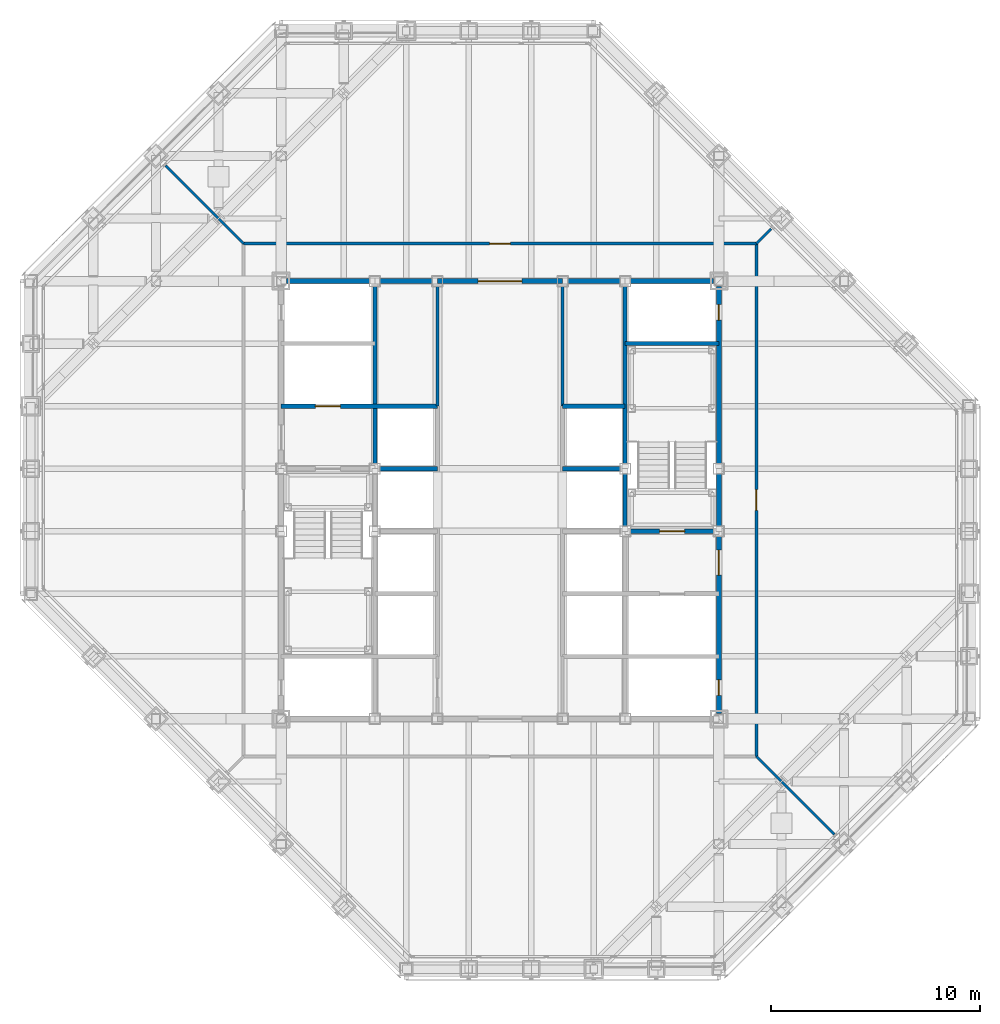
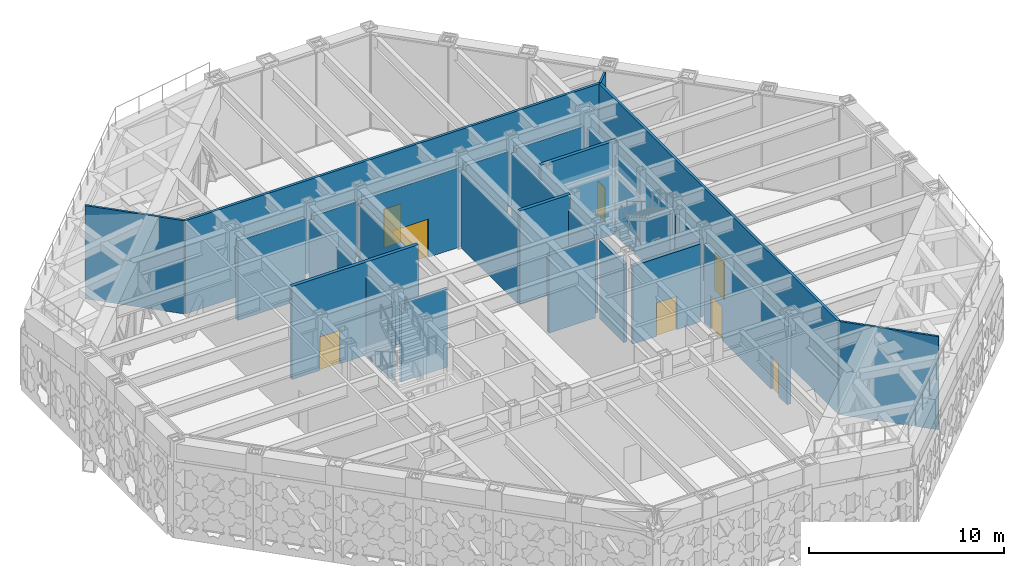
# One storey, part 12 of 29: 24 walls, 8 doors, 8 openings.
"""IFC4 building model written with IfcOpenShell, lengths in metres."""

from ifc_helpers import new_model, si_unit, direction, frame, frame_2d, origin, place, context, subcontext, project, spatial, rectangle, extrude, material, layer, layer_set, type_object, element, fill, save


model = new_model("IFC4")

# Units and contexts
model_context = context("Model", 3, precision=1e-05, world=origin(), true_north=direction((0.0, 1.0)))
body_context = subcontext(model_context, "Body", "Model", "MODEL_VIEW")
ifc_project = project(units=[si_unit("LENGTHUNIT", "METRE"), si_unit("AREAUNIT", "SQUARE_METRE"), si_unit("VOLUMEUNIT", "CUBIC_METRE"), si_unit("PLANEANGLEUNIT", "RADIAN"), si_unit("MASSUNIT", "GRAM", prefix="KILO")], contexts=[model_context])

# Site, building, storey
site_placement = place(None, origin())
site = spatial("IfcSite", under=ifc_project, at=site_placement, CompositionType="ELEMENT")
building_placement = place(site_placement, origin())
building = spatial("IfcBuilding", under=site, at=building_placement, Name="Chuquiago Exchange Tower", CompositionType="ELEMENT")
storey_placement = place(building_placement, frame((0.0, 0.0, 251.699951171875)))
storey = spatial("IfcBuildingStorey", under=building, at=storey_placement, Name="L56", CompositionType="ELEMENT", Elevation=251.699951171875)

# Walls
ifc_material_1 = material(Name="Concrete masonry, fully grouted", Category="masonry")
ifc_layer_1 = layer(ifc_material_1, 0.25)
ifc_layer_set_1 = layer_set([ifc_layer_1], Name="W1 core wall 250")
wall_type_1 = type_object("IfcWallType", Name="W1 core wall 250", PredefinedType="SOLIDWALL", material=ifc_layer_set_1)
wall_1_placement = place(storey_placement, frame((12.25, 33.0, 0.0), z_axis=(0.0, 0.0, 1.0), x_axis=(1.0, 0.0, 0.0)))
element("IfcWall", 1, at=wall_1_placement, inside=storey, type_object=wall_type_1, Name="CW-L56-11-0", PredefinedType="SOLIDWALL", context=body_context, shape_type="SweptSolid", body=[
    extrude(rectangle(XDim=4.0, YDim=0.25, at=frame_2d((2.0, 0.0))), origin(), (0.0, 0.0, 1.0), 4.9814453125),
])
for number, where, z_axis, x_axis, name in (
    (2, (16.75, 33.0, 0.0), (0.0, 0.0, 1.0), (1.0, 0.0, 0.0), "CW-L56-11-1"),
    (3, (25.75, 33.0, 0.0), (0.0, 0.0, 1.0), (1.0, 0.0, 0.0), "CW-L56-12-0"),
):
    element("IfcWall", number, at=place(storey_placement, frame(where, z_axis=z_axis, x_axis=x_axis)), inside=storey, type_object=wall_type_1, Name=name, PredefinedType="SOLIDWALL", context=body_context, shape_type="SweptSolid", body=[
        extrude(rectangle(XDim=2.5, YDim=0.25, at=frame_2d((1.25, 0.0))), origin(), (0.0, 0.0, 1.0), 4.9814453125),
    ])
wall_2_placement = place(storey_placement, frame((28.75, 33.0, 0.0), z_axis=(0.0, 0.0, 1.0), x_axis=(1.0, 0.0, 0.0)))
element("IfcWall", 4, at=wall_2_placement, inside=storey, type_object=wall_type_1, Name="CW-L56-12-1", PredefinedType="SOLIDWALL", context=body_context, shape_type="SweptSolid", body=[
    extrude(rectangle(XDim=4.0, YDim=0.25, at=frame_2d((2.0, 0.0))), origin(), (0.0, 0.0, 1.0), 4.9814453125),
])

# Wall, openings, doors
wall_3_placement = place(storey_placement, frame((33.0, 12.25, 0.0), z_axis=(0.0, 0.0, 1.0), x_axis=(0.0, 1.0, 0.0)))
wall_3 = element("IfcWall", 5, at=wall_3_placement, inside=storey, type_object=wall_type_1, Name="CW-L56-25-0", PredefinedType="SOLIDWALL", context=body_context, shape_type="SweptSolid", body=[
    extrude(rectangle(XDim=8.5, YDim=0.25, at=frame_2d((4.25, 0.0))), origin(), (0.0, 0.0, 1.0), 4.912841796875),
])
opening_1_placement = place(wall_3_placement, frame((6.64990234375, 0.0, 0.0)))
opening_1 = element("IfcOpeningElement", 6, at=opening_1_placement, cuts=wall_3, Name="Opening L56-006", PredefinedType="OPENING", context=body_context, shape_type="SweptSolid", body=[
    extrude(rectangle(XDim=1.199951171875, YDim=2.10009765625, at=frame_2d((0.60009765625, 1.050048828125))), frame((0.0, 0.135009765625, 0.0), z_axis=(0.0, -1.0, 0.0), x_axis=(1.0, 0.0, 0.0)), (0.0, 0.0, 1.0), 0.27001953125),
])
opening_2_placement = place(wall_3_placement, frame((0.875, 0.0, 0.0)))
opening_2 = element("IfcOpeningElement", 7, at=opening_2_placement, cuts=wall_3, Name="Opening L56-011", PredefinedType="OPENING", context=body_context, shape_type="SweptSolid", body=[
    extrude(rectangle(XDim=0.75, YDim=2.10009765625, at=frame_2d((0.375, 1.050048828125))), frame((0.0, 0.135009765625, 0.0), z_axis=(0.0, -1.0, 0.0), x_axis=(1.0, 0.0, 0.0)), (0.0, 0.0, 1.0), 0.27001953125),
])
ifc_material_2 = material(Name="Steel door, painted", Category="steel")
door_type_1 = type_object("IfcDoorType", Name="D5 firefighting lobby door 1200x2100", OperationType="SINGLE_SWING_LEFT", PredefinedType="DOOR", material=ifc_material_2)
door_1_placement = place(opening_1_placement, origin())
door_1 = element("IfcDoor", 8, at=door_1_placement, inside=storey, type_object=door_type_1, Name="Firefighting lobby 2 door", OperationType="SINGLE_SWING_RIGHT", OverallHeight=2.10009765625, OverallWidth=1.199951171875, PredefinedType="DOOR", context=body_context, shape_type="SweptSolid", body=[
    extrude(rectangle(XDim=1.199951171875, YDim=2.10009765625, at=frame_2d((0.60009765625, 1.050048828125))), frame((0.0, 0.02490234375, 0.0), z_axis=(0.0, -1.0, 0.0), x_axis=(1.0, 0.0, 0.0)), (0.0, 0.0, 1.0), 0.050048828125),
])
fill(opening_1, door_1)
ifc_material_3 = material(Name="Steel door, painted", Category="steel")
door_type_2 = type_object("IfcDoorType", Name="D6 riser access door 750x2100", OperationType="SINGLE_SWING_LEFT", PredefinedType="DOOR", material=ifc_material_3)
door_2_placement = place(opening_2_placement, origin())
door_2 = element("IfcDoor", 9, at=door_2_placement, inside=storey, type_object=door_type_2, Name="Riser RE1 door", OperationType="SINGLE_SWING_LEFT", OverallHeight=2.10009765625, OverallWidth=0.75, PredefinedType="DOOR", context=body_context, shape_type="SweptSolid", body=[
    extrude(rectangle(XDim=0.75, YDim=2.10009765625, at=frame_2d((0.375, 1.050048828125))), frame((0.0, 0.02490234375, 0.0), z_axis=(0.0, -1.0, 0.0), x_axis=(1.0, 0.0, 0.0)), (0.0, 0.0, 1.0), 0.050048828125),
])
fill(opening_2, door_2)

# Wall
wall_4_placement = place(storey_placement, frame((33.0, 21.25, 0.0), z_axis=(0.0, 0.0, 1.0), x_axis=(0.0, 1.0, 0.0)))
element("IfcWall", 10, at=wall_4_placement, inside=storey, type_object=wall_type_1, Name="CW-L56-25-1", PredefinedType="SOLIDWALL", context=body_context, shape_type="SweptSolid", body=[
    extrude(rectangle(XDim=2.5, YDim=0.25, at=frame_2d((1.25, 0.0))), origin(), (0.0, 0.0, 1.0), 4.912841796875),
])

# Wall, opening, door
wall_5_placement = place(storey_placement, frame((33.0, 24.25, 0.0), z_axis=(0.0, 0.0, 1.0), x_axis=(0.0, 1.0, 0.0)))
wall_5 = element("IfcWall", 11, at=wall_5_placement, inside=storey, type_object=wall_type_1, Name="CW-L56-25-2", PredefinedType="SOLIDWALL", context=body_context, shape_type="SweptSolid", body=[
    extrude(rectangle(XDim=8.5, YDim=0.25, at=frame_2d((4.25, 0.0))), origin(), (0.0, 0.0, 1.0), 4.912841796875),
])
opening_3_placement = place(wall_5_placement, frame((6.875, 0.0, 0.0)))
opening_3 = element("IfcOpeningElement", 12, at=opening_3_placement, cuts=wall_5, Name="Opening L56-012", PredefinedType="OPENING", context=body_context, shape_type="SweptSolid", body=[
    extrude(rectangle(XDim=0.75, YDim=2.10009765625, at=frame_2d((0.375, 1.050048828125))), frame((0.0, 0.135009765625, 0.0), z_axis=(0.0, -1.0, 0.0), x_axis=(1.0, 0.0, 0.0)), (0.0, 0.0, 1.0), 0.27001953125),
])
door_3_placement = place(opening_3_placement, origin())
door_3 = element("IfcDoor", 13, at=door_3_placement, inside=storey, type_object=door_type_2, Name="Riser RE2 door", OperationType="SINGLE_SWING_RIGHT", OverallHeight=2.10009765625, OverallWidth=0.75, PredefinedType="DOOR", context=body_context, shape_type="SweptSolid", body=[
    extrude(rectangle(XDim=0.75, YDim=2.10009765625, at=frame_2d((0.375, 1.050048828125))), frame((0.0, 0.02490234375, 0.0), z_axis=(0.0, -1.0, 0.0), x_axis=(1.0, 0.0, 0.0)), (0.0, 0.0, 1.0), 0.050048828125),
])
fill(opening_3, door_3)

wall_6_placement = place(storey_placement, frame((19.5, 33.0, 0.0), z_axis=(0.0, 0.0, 1.0), x_axis=(1.0, 0.0, 0.0)))
wall_6 = element("IfcWall", 14, at=wall_6_placement, inside=storey, type_object=wall_type_1, Name="CW-L56-LLN", PredefinedType="SOLIDWALL", context=body_context, shape_type="SweptSolid", body=[
    extrude(rectangle(XDim=6.0, YDim=0.25, at=frame_2d((3.0, 0.0))), origin(), (0.0, 0.0, 1.0), 4.9814453125),
])
opening_4_placement = place(wall_6_placement, frame((1.949951171875, 0.0, 0.0)))
opening_4 = element("IfcOpeningElement", 15, at=opening_4_placement, cuts=wall_6, Name="Opening L56-002", PredefinedType="OPENING", context=body_context, shape_type="SweptSolid", body=[
    extrude(rectangle(XDim=2.10009765625, YDim=2.39990234375, at=frame_2d((1.050048828125, 1.199951171875))), frame((0.0, 0.135009765625, 0.0), z_axis=(0.0, -1.0, 0.0), x_axis=(1.0, 0.0, 0.0)), (0.0, 0.0, 1.0), 0.27001953125),
])
ifc_material_4 = material(Name="Steel door, painted", Category="steel")
door_type_3 = type_object("IfcDoorType", Name="D11 plant room double door 2100x2400", OperationType="DOUBLE_DOOR_DOUBLE_SWING", PredefinedType="DOOR", material=ifc_material_4)
door_4_placement = place(opening_4_placement, origin())
door_4 = element("IfcDoor", 16, at=door_4_placement, inside=storey, type_object=door_type_3, Name="Plant room door N", OperationType="DOUBLE_DOOR_DOUBLE_SWING", OverallHeight=2.39990234375, OverallWidth=2.10009765625, PredefinedType="DOOR", context=body_context, shape_type="SweptSolid", body=[
    extrude(rectangle(XDim=2.10009765625, YDim=2.39990234375, at=frame_2d((1.050048828125, 1.199951171875))), frame((0.0, 0.02490234375, 0.0), z_axis=(0.0, -1.0, 0.0), x_axis=(1.0, 0.0, 0.0)), (0.0, 0.0, 1.0), 0.050048828125),
])
fill(opening_4, door_4)

ifc_material_5 = material(Name="Gypsum board on steel studs, acoustic insulation", Category="steel")
ifc_layer_2 = layer(ifc_material_5, 0.14990234375)
ifc_layer_set_2 = layer_set([ifc_layer_2], Name="W11 corridor wall 150")
wall_type_2 = type_object("IfcWallType", Name="W11 corridor wall 150", PredefinedType="PARTITIONING", material=ifc_layer_set_2)
wall_7_placement = place(storey_placement, frame((10.199951171875, 34.800048828125, 0.0), z_axis=(0.0, 0.0, 1.0), x_axis=(1.0, 0.0, 0.0)))
wall_7 = element("IfcWall", 17, at=wall_7_placement, inside=storey, type_object=wall_type_2, Name="PW-L56-PCN", PredefinedType="PARTITIONING", context=body_context, shape_type="SweptSolid", body=[
    extrude(rectangle(XDim=24.60009765625, YDim=0.14990234375, at=frame_2d((12.300048828125, 0.0))), origin(), (0.0, 0.0, 1.0), 5.840087890625),
])
opening_5_placement = place(wall_7_placement, frame((11.800048828125, 0.0, 0.0)))
opening_5 = element("IfcOpeningElement", 18, at=opening_5_placement, cuts=wall_7, Name="Opening L56-015", PredefinedType="OPENING", context=body_context, shape_type="SweptSolid", body=[
    extrude(rectangle(XDim=1.0, YDim=2.39990234375, at=frame_2d((0.5, 1.199951171875))), frame((0.0, 0.0849609375, 0.0), z_axis=(0.0, -1.0, 0.0), x_axis=(1.0, 0.0, 0.0)), (0.0, 0.0, 1.0), 0.169921875),
])
ifc_material_6 = material(Name="Timber door, laminate faced", Category="wood")
door_type_4 = type_object("IfcDoorType", Name="D9 room door 1000x2400", OperationType="SINGLE_SWING_LEFT", PredefinedType="DOOR", material=ifc_material_6)
door_5_placement = place(opening_5_placement, origin())
door_5 = element("IfcDoor", 19, at=door_5_placement, inside=storey, type_object=door_type_4, Name="Plant corridor north door", OperationType="SINGLE_SWING_RIGHT", OverallHeight=2.39990234375, OverallWidth=1.0, PredefinedType="DOOR", context=body_context, shape_type="SweptSolid", body=[
    extrude(rectangle(XDim=1.0, YDim=2.39990234375, at=frame_2d((0.5, 1.199951171875))), frame((0.0, 0.02490234375, 0.0), z_axis=(0.0, -1.0, 0.0), x_axis=(1.0, 0.0, 0.0)), (0.0, 0.0, 1.0), 0.050048828125),
])
fill(opening_5, door_5)

wall_8_placement = place(storey_placement, frame((34.800048828125, 10.199951171875, 0.0), z_axis=(0.0, 0.0, 1.0), x_axis=(0.0, 1.0, 0.0)))
wall_8 = element("IfcWall", 20, at=wall_8_placement, inside=storey, type_object=wall_type_2, Name="PW-L56-PCE", PredefinedType="PARTITIONING", context=body_context, shape_type="SweptSolid", body=[
    extrude(rectangle(XDim=24.60009765625, YDim=0.14990234375, at=frame_2d((12.300048828125, 0.0))), origin(), (0.0, 0.0, 1.0), 5.840087890625),
])
opening_6_placement = place(wall_8_placement, frame((11.800048828125, 0.0, 0.0)))
opening_6 = element("IfcOpeningElement", 21, at=opening_6_placement, cuts=wall_8, Name="Opening L56-017", PredefinedType="OPENING", context=body_context, shape_type="SweptSolid", body=[
    extrude(rectangle(XDim=1.0, YDim=2.39990234375, at=frame_2d((0.5, 1.199951171875))), frame((0.0, 0.0849609375, 0.0), z_axis=(0.0, -1.0, 0.0), x_axis=(1.0, 0.0, 0.0)), (0.0, 0.0, 1.0), 0.169921875),
])
door_6_placement = place(opening_6_placement, frame((1.0, 0.0, 0.0), z_axis=(0.0, 0.0, 1.0), x_axis=(-1.0, 0.0, 0.0)))
door_6 = element("IfcDoor", 22, at=door_6_placement, inside=storey, type_object=door_type_4, Name="Plant corridor east door", OperationType="SINGLE_SWING_LEFT", OverallHeight=2.39990234375, OverallWidth=1.0, PredefinedType="DOOR", context=body_context, shape_type="SweptSolid", body=[
    extrude(rectangle(XDim=1.0, YDim=2.39990234375, at=frame_2d((0.5, 1.199951171875))), frame((0.0, 0.02490234375, 0.0), z_axis=(0.0, -1.0, 0.0), x_axis=(1.0, 0.0, 0.0)), (0.0, 0.0, 1.0), 0.050048828125),
])
fill(opening_6, door_6)

# Walls
ifc_material_7 = material(Name="Concrete masonry, fully grouted", Category="masonry")
ifc_layer_3 = layer(ifc_material_7, 0.199951171875)
ifc_layer_set_3 = layer_set([ifc_layer_3], Name="W2 shaft wall 200")
wall_type_3 = type_object("IfcWallType", Name="W2 shaft wall 200", PredefinedType="SOLIDWALL", material=ifc_layer_set_3)
for number, where, z_axis, x_axis, name in (
    (23, (16.75, 24.0, 0.0), (0.0, 0.0, 1.0), (1.0, 0.0, 0.0), "CW-L56-05-1"),
    (24, (25.5, 24.0, 0.0), (0.0, 0.0, 1.0), (1.0, 0.0, 0.0), "CW-L56-06-0"),
):
    element("IfcWall", number, at=place(storey_placement, frame(where, z_axis=z_axis, x_axis=x_axis)), inside=storey, type_object=wall_type_3, Name=name, PredefinedType="SOLIDWALL", context=body_context, shape_type="SweptSolid", body=[
        extrude(rectangle(XDim=2.75, YDim=0.199951171875, at=frame_2d((1.375, 0.0))), origin(), (0.0, 0.0, 1.0), 4.89013671875),
    ])

# Wall, opening, door
wall_9_placement = place(storey_placement, frame((12.0, 27.0, 0.0), z_axis=(0.0, 0.0, 1.0), x_axis=(1.0, 0.0, 0.0)))
wall_9 = element("IfcWall", 25, at=wall_9_placement, inside=storey, type_object=wall_type_3, Name="CW-L56-07-0", PredefinedType="SOLIDWALL", context=body_context, shape_type="SweptSolid", body=[
    extrude(rectangle(XDim=7.5, YDim=0.199951171875, at=frame_2d((3.75, 0.0))), origin(), (0.0, 0.0, 1.0), 5.840087890625),
])
opening_7_placement = place(wall_9_placement, frame((1.64990234375, 0.0, 0.0)))
opening_7 = element("IfcOpeningElement", 26, at=opening_7_placement, cuts=wall_9, Name="Opening L56-007", PredefinedType="OPENING", context=body_context, shape_type="SweptSolid", body=[
    extrude(rectangle(XDim=1.199951171875, YDim=2.10009765625, at=frame_2d((0.60009765625, 1.050048828125))), frame((0.0, 0.10986328125, 0.0), z_axis=(0.0, -1.0, 0.0), x_axis=(1.0, 0.0, 0.0)), (0.0, 0.0, 1.0), 0.219970703125),
])
ifc_material_8 = material(Name="Stainless steel lift landing door", Category="steel")
door_type_5 = type_object("IfcDoorType", Name="LD2 firefighting lift landing door 1200x2100", OperationType="DOUBLE_DOOR_SLIDING", PredefinedType="DOOR", material=ifc_material_8)
door_7_placement = place(opening_7_placement, origin())
door_7 = element("IfcDoor", 27, at=door_7_placement, inside=storey, type_object=door_type_5, Name="Firefighting lift FL1 landing door", OperationType="DOUBLE_DOOR_SLIDING", OverallHeight=2.10009765625, OverallWidth=1.199951171875, PredefinedType="DOOR", context=body_context, shape_type="SweptSolid", body=[
    extrude(rectangle(XDim=1.199951171875, YDim=2.10009765625, at=frame_2d((0.60009765625, 1.050048828125))), frame((0.0, 0.02490234375, 0.0), z_axis=(0.0, -1.0, 0.0), x_axis=(1.0, 0.0, 0.0)), (0.0, 0.0, 1.0), 0.050048828125),
])
fill(opening_7, door_7)

# Walls
wall_10_placement = place(storey_placement, frame((25.5, 27.0, 0.0), z_axis=(0.0, 0.0, 1.0), x_axis=(1.0, 0.0, 0.0)))
element("IfcWall", 28, at=wall_10_placement, inside=storey, type_object=wall_type_3, Name="CW-L56-08-0", PredefinedType="SOLIDWALL", context=body_context, shape_type="SweptSolid", body=[
    extrude(rectangle(XDim=3.0, YDim=0.199951171875, at=frame_2d((1.5, 0.0))), origin(), (0.0, 0.0, 1.0), 5.840087890625),
])
wall_11_placement = place(storey_placement, frame((28.5, 30.0, 0.0), z_axis=(0.0, 0.0, 1.0), x_axis=(1.0, 0.0, 0.0)))
element("IfcWall", 29, at=wall_11_placement, inside=storey, type_object=wall_type_3, Name="CW-L56-10-0", PredefinedType="SOLIDWALL", context=body_context, shape_type="SweptSolid", body=[
    extrude(rectangle(XDim=4.5, YDim=0.199951171875, at=frame_2d((2.25, 0.0))), origin(), (0.0, 0.0, 1.0), 5.840087890625),
])
wall_12_placement = place(storey_placement, frame((16.5, 24.25, 0.0), z_axis=(0.0, 0.0, 1.0), x_axis=(0.0, 1.0, 0.0)))
element("IfcWall", 30, at=wall_12_placement, inside=storey, type_object=wall_type_3, Name="CW-L56-13-2", PredefinedType="SOLIDWALL", context=body_context, shape_type="SweptSolid", body=[
    extrude(rectangle(XDim=8.5, YDim=0.199951171875, at=frame_2d((4.25, 0.0))), origin(), (0.0, 0.0, 1.0), 4.912841796875),
])

# Wall, opening, door
wall_13_placement = place(storey_placement, frame((28.75, 21.0, 0.0), z_axis=(0.0, 0.0, 1.0), x_axis=(1.0, 0.0, 0.0)))
wall_13 = element("IfcWall", 31, at=wall_13_placement, inside=storey, type_object=wall_type_3, Name="CW-L56-17-1", PredefinedType="SOLIDWALL", context=body_context, shape_type="SweptSolid", body=[
    extrude(rectangle(XDim=4.0, YDim=0.199951171875, at=frame_2d((2.0, 0.0))), origin(), (0.0, 0.0, 1.0), 4.89013671875),
])
opening_8_placement = place(wall_13_placement, frame((1.39990234375, 0.0, 0.0)))
opening_8 = element("IfcOpeningElement", 32, at=opening_8_placement, cuts=wall_13, Name="Opening L56-005", PredefinedType="OPENING", context=body_context, shape_type="SweptSolid", body=[
    extrude(rectangle(XDim=1.199951171875, YDim=2.10009765625, at=frame_2d((0.60009765625, 1.050048828125))), frame((0.0, 0.10986328125, 0.0), z_axis=(0.0, -1.0, 0.0), x_axis=(1.0, 0.0, 0.0)), (0.0, 0.0, 1.0), 0.219970703125),
])
ifc_material_9 = material(Name="Steel door, painted", Category="steel")
door_type_6 = type_object("IfcDoorType", Name="D4 stair door 1200x2100", OperationType="SINGLE_SWING_LEFT", PredefinedType="DOOR", material=ifc_material_9)
door_8_placement = place(opening_8_placement, origin())
door_8 = element("IfcDoor", 33, at=door_8_placement, inside=storey, type_object=door_type_6, Name="Stair ST2 door", OperationType="SINGLE_SWING_LEFT", OverallHeight=2.10009765625, OverallWidth=1.199951171875, PredefinedType="DOOR", context=body_context, shape_type="SweptSolid", body=[
    extrude(rectangle(XDim=1.199951171875, YDim=2.10009765625, at=frame_2d((0.60009765625, 1.050048828125))), frame((0.0, 0.02490234375, 0.0), z_axis=(0.0, -1.0, 0.0), x_axis=(1.0, 0.0, 0.0)), (0.0, 0.0, 1.0), 0.050048828125),
])
fill(opening_8, door_8)

# Walls
wall_14_placement = place(storey_placement, frame((28.5, 21.25, 0.0), z_axis=(0.0, 0.0, 1.0), x_axis=(0.0, 1.0, 0.0)))
element("IfcWall", 34, at=wall_14_placement, inside=storey, type_object=wall_type_3, Name="CW-L56-24-1", PredefinedType="SOLIDWALL", context=body_context, shape_type="SweptSolid", body=[
    extrude(rectangle(XDim=2.5, YDim=0.199951171875, at=frame_2d((1.25, 0.0))), origin(), (0.0, 0.0, 1.0), 4.912841796875),
])
wall_15_placement = place(storey_placement, frame((28.5, 24.25, 0.0), z_axis=(0.0, 0.0, 1.0), x_axis=(0.0, 1.0, 0.0)))
element("IfcWall", 35, at=wall_15_placement, inside=storey, type_object=wall_type_3, Name="CW-L56-24-2", PredefinedType="SOLIDWALL", context=body_context, shape_type="SweptSolid", body=[
    extrude(rectangle(XDim=8.5, YDim=0.199951171875, at=frame_2d((4.25, 0.0))), origin(), (0.0, 0.0, 1.0), 4.912841796875),
])
ifc_material_10 = material(Name="Gypsum board on steel studs", Category="steel")
ifc_layer_4 = layer(ifc_material_10, 0.14990234375)
ifc_layer_set_4 = layer_set([ifc_layer_4], Name="W3 core partition 150")
wall_type_4 = type_object("IfcWallType", Name="W3 core partition 150", PredefinedType="PARTITIONING", material=ifc_layer_set_4)
for number, where, z_axis, x_axis, name in (
    (36, (19.5, 27.0, 0.0), (0.0, 0.0, 1.0), (0.0, 1.0, 0.0), "CW-L56-20-0"),
    (37, (25.5, 27.0, 0.0), (0.0, 0.0, 1.0), (0.0, 1.0, 0.0), "CW-L56-23-0"),
):
    element("IfcWall", number, at=place(storey_placement, frame(where, z_axis=z_axis, x_axis=x_axis)), inside=storey, type_object=wall_type_4, Name=name, PredefinedType="PARTITIONING", context=body_context, shape_type="SweptSolid", body=[
        extrude(rectangle(XDim=5.75, YDim=0.14990234375, at=frame_2d((2.875, 0.0))), origin(), (0.0, 0.0, 1.0), 4.86474609375),
    ])
ifc_material_11 = material(Name="Gypsum board on steel studs", Category="steel")
ifc_layer_5 = layer(ifc_material_11, 0.1201171875)
ifc_layer_set_5 = layer_set([ifc_layer_5], Name="W4 partition 120")
wall_type_5 = type_object("IfcWallType", Name="W4 partition 120", PredefinedType="PARTITIONING", material=ifc_layer_set_5)
wall_16_placement = place(storey_placement, frame((34.800048828125, 34.800048828125, 0.0), z_axis=(0.0, 0.0, 1.0), x_axis=(0.707106781187, 0.707106781187, 0.0)))
element("IfcWall", 38, at=wall_16_placement, inside=storey, type_object=wall_type_5, Name="PW-L56-PDNE0", PredefinedType="PARTITIONING", context=body_context, shape_type="SweptSolid", body=[
    extrude(rectangle(XDim=0.996826171875, YDim=0.1201171875, at=frame_2d((0.49853515625, 0.0))), origin(), (0.0, 0.0, 1.0), 5.840087890625),
])
for number, where, z_axis, x_axis, name in (
    (39, (10.199951171875, 34.800048828125, 0.0), (0.0, 0.0, 1.0), (-0.707106781187, 0.707106781187, 0.0), "PW-L56-PDNW0"),
    (40, (34.800048828125, 10.199951171875, 0.0), (0.0, 0.0, 1.0), (0.707106781187, -0.707106781187, 0.0), "PW-L56-PDSE0"),
):
    element("IfcWall", number, at=place(storey_placement, frame(where, z_axis=z_axis, x_axis=x_axis)), inside=storey, type_object=wall_type_5, Name=name, PredefinedType="PARTITIONING", context=body_context, shape_type="SweptSolid", body=[
        extrude(rectangle(XDim=5.2822265625, YDim=0.1201171875, at=frame_2d((2.64111328125, 0.0))), origin(), (0.0, 0.0, 1.0), 5.840087890625),
    ])

save(model, "model.ifc")
